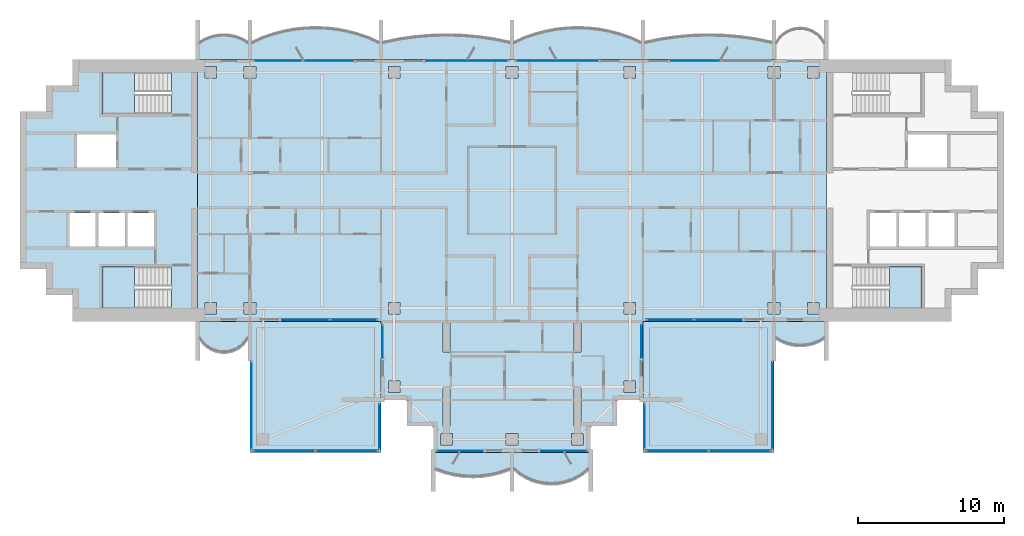
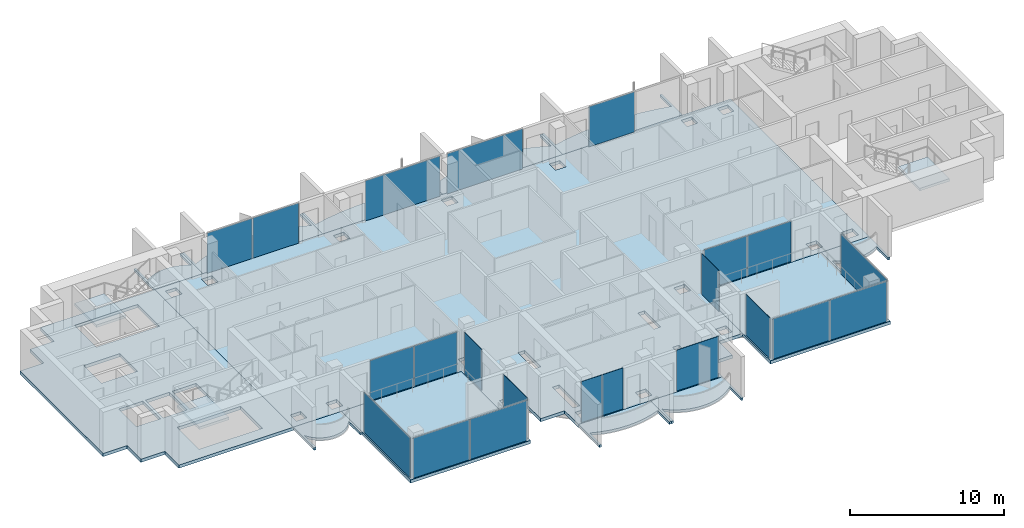
# One storey, part 5 of 16: 21 plates, 16 slabs, 19 elements without a shape of their own.
"""IFC4 building model written with IfcOpenShell, lengths in metres."""

from ifc_helpers import new_model, si_unit, direction, frame, origin, origin_2d, place, context, subcontext, project, spatial, polyline, rectangle, outline, extrude, material, layer, layer_set, type_object, element, aggregate, save


model = new_model("IFC4")

# Units and contexts
model_context = context("Model", 3, precision=1e-05, world=origin(), true_north=direction((0.0, 1.0)))
body_context = subcontext(model_context, "Body", "Model", "MODEL_VIEW")
ifc_project = project(units=[si_unit("LENGTHUNIT", "METRE"), si_unit("AREAUNIT", "SQUARE_METRE"), si_unit("VOLUMEUNIT", "CUBIC_METRE"), si_unit("PLANEANGLEUNIT", "RADIAN"), si_unit("MASSUNIT", "GRAM", prefix="KILO")], contexts=[model_context])

# Site, building, storey
site_placement = place(None, origin())
site = spatial("IfcSite", under=ifc_project, at=site_placement, CompositionType="ELEMENT")
building_placement = place(site_placement, origin())
building = spatial("IfcBuilding", under=site, at=building_placement, Name="Perihelion Cross Residences", CompositionType="ELEMENT")
storey_placement = place(building_placement, frame((0.0, 0.0, 267.5)))
storey = spatial("IfcBuildingStorey", under=building, at=storey_placement, Name="L68", CompositionType="ELEMENT", Elevation=267.5)

# Slabs
ifc_material_1 = material(Name="Concrete C40/50", Category="concrete")
ifc_layer_1 = layer(ifc_material_1, 0.199951171875)
ifc_layer_set_1 = layer_set([ifc_layer_1], Name="Balcony slab 200")
slab_type_1 = type_object("IfcSlabType", Name="Balcony slab 200", PredefinedType="FLOOR", material=ifc_layer_set_1)
slab_1_placement = place(storey_placement, frame((0.0, 0.0, -0.199951171875)))
element("IfcSlab", 1, at=slab_1_placement, inside=storey, type_object=slab_type_1, Name="Slab BK1 L68 east side north bay 2 balcony", PredefinedType="FLOOR", context=body_context, shape_type="SweptSolid", body=[
    extrude(outline(polyline([(18.0, 9.0), (9.0, 9.0), (9.0, 11.699951171875), (9.14990234375, 11.699951171875), (9.14990234375, 10.199951171875), (10.237548828125, 10.42041015625), (11.324951171875, 10.576171875), (12.41259765625, 10.669189453125), (13.5, 10.699951171875), (14.58740234375, 10.669189453125), (15.675048828125, 10.576171875), (16.762451171875, 10.42041015625), (17.85009765625, 10.199951171875), (17.85009765625, 11.699951171875), (18.0, 11.699951171875), (18.0, 9.0)])), origin(), (0.0, 0.0, 1.0), 0.199951171875),
])
slab_2_placement = place(storey_placement, frame((0.0, 0.0, -0.199951171875)))
element("IfcSlab", 2, at=slab_2_placement, inside=storey, type_object=slab_type_1, Name="Slab BK1 L68 north side east bay 1 balcony", PredefinedType="FLOOR", context=body_context, shape_type="SweptSolid", body=[
    extrude(outline(polyline([(9.0, 9.0), (0.0, 9.0), (0.0, 11.699951171875), (0.14990234375, 11.699951171875), (0.14990234375, 10.199951171875), (0.875, 10.51708984375), (1.60009765625, 10.7685546875), (2.324951171875, 10.959716796875), (3.050048828125, 11.093994140625), (3.77490234375, 11.173583984375), (4.5, 11.199951171875), (5.22509765625, 11.173583984375), (5.949951171875, 11.093994140625), (6.675048828125, 10.959716796875), (7.39990234375, 10.7685546875), (8.125, 10.51708984375), (8.85009765625, 10.199951171875), (8.85009765625, 11.699951171875), (9.0, 11.699951171875), (9.0, 9.0)])), origin(), (0.0, 0.0, 1.0), 0.199951171875),
])
slab_3_placement = place(storey_placement, frame((0.0, 0.0, -0.199951171875)))
element("IfcSlab", 3, at=slab_3_placement, inside=storey, type_object=slab_type_1, Name="Slab BK1 L68 north side east bay 2 balcony", PredefinedType="FLOOR", context=body_context, shape_type="SweptSolid", body=[
    extrude(outline(polyline([(0.0, 9.0), (-9.0, 9.0), (-9.0, 11.699951171875), (-8.85009765625, 11.699951171875), (-8.85009765625, 10.199951171875), (-7.762451171875, 10.42041015625), (-6.675048828125, 10.576171875), (-5.58740234375, 10.669189453125), (-4.5, 10.699951171875), (-3.41259765625, 10.669189453125), (-2.324951171875, 10.576171875), (-1.237548828125, 10.42041015625), (-0.14990234375, 10.199951171875), (-0.14990234375, 11.699951171875), (0.0, 11.699951171875), (0.0, 9.0)])), origin(), (0.0, 0.0, 1.0), 0.199951171875),
])
slab_4_placement = place(storey_placement, frame((0.0, 0.0, -0.199951171875)))
element("IfcSlab", 4, at=slab_4_placement, inside=storey, type_object=slab_type_1, Name="Slab BK1 L68 west side north bay 1 balcony", PredefinedType="FLOOR", context=body_context, shape_type="SweptSolid", body=[
    extrude(outline(polyline([(-9.0, 9.0), (-18.0, 9.0), (-18.0, 11.699951171875), (-17.85009765625, 11.699951171875), (-17.85009765625, 10.199951171875), (-17.125, 10.51708984375), (-16.39990234375, 10.7685546875), (-15.675048828125, 10.959716796875), (-14.949951171875, 11.093994140625), (-14.22509765625, 11.173583984375), (-13.5, 11.199951171875), (-12.77490234375, 11.173583984375), (-12.050048828125, 11.093994140625), (-11.324951171875, 10.959716796875), (-10.60009765625, 10.7685546875), (-9.875, 10.51708984375), (-9.14990234375, 10.199951171875), (-9.14990234375, 11.699951171875), (-9.0, 11.699951171875), (-9.0, 9.0)])), origin(), (0.0, 0.0, 1.0), 0.199951171875),
])
slab_5_placement = place(storey_placement, frame((0.0, 0.0, -0.199951171875)))
element("IfcSlab", 5, at=slab_5_placement, inside=storey, type_object=slab_type_1, Name="Slab BK1 L68 west side north bay 2 balcony", PredefinedType="FLOOR", context=body_context, shape_type="SweptSolid", body=[
    extrude(outline(polyline([(-18.0, 9.0), (-21.60009765625, 9.0), (-21.60009765625, 11.699951171875), (-21.449951171875, 11.699951171875), (-21.449951171875, 10.199951171875), (-21.083251953125, 10.40869140625), (-20.716552734375, 10.55517578125), (-20.35009765625, 10.648681640625), (-19.9833984375, 10.6943359375), (-19.61669921875, 10.6943359375), (-19.25, 10.648681640625), (-18.88330078125, 10.55517578125), (-18.5166015625, 10.40869140625), (-18.14990234375, 10.199951171875), (-18.14990234375, 11.699951171875), (-18.0, 11.699951171875), (-18.0, 9.0)])), origin(), (0.0, 0.0, 1.0), 0.199951171875),
])
slab_6_placement = place(storey_placement, frame((0.0, 0.0, -0.199951171875)))
element("IfcSlab", 6, at=slab_6_placement, inside=storey, type_object=slab_type_1, Name="Slab BK1 L68 west side south bay 1 balcony", PredefinedType="FLOOR", context=body_context, shape_type="SweptSolid", body=[
    extrude(outline(polyline([(-21.60009765625, -9.0), (-18.0, -9.0), (-18.0, -11.699951171875), (-18.14990234375, -11.699951171875), (-18.14990234375, -10.199951171875), (-18.425048828125, -10.568603515625), (-18.699951171875, -10.806396484375), (-18.97509765625, -10.96875), (-19.25, -11.07568359375), (-19.52490234375, -11.136962890625), (-19.800048828125, -11.156982421875), (-20.074951171875, -11.136962890625), (-20.35009765625, -11.07568359375), (-20.625, -10.96875), (-20.89990234375, -10.806396484375), (-21.175048828125, -10.568603515625), (-21.449951171875, -10.199951171875), (-21.449951171875, -11.699951171875), (-21.60009765625, -11.699951171875), (-21.60009765625, -9.0)])), origin(), (0.0, 0.0, 1.0), 0.199951171875),
])
slab_7_placement = place(storey_placement, frame((0.0, 0.0, -0.199951171875)))
element("IfcSlab", 7, at=slab_7_placement, inside=storey, type_object=slab_type_1, Name="Slab BK1 L68 south tip south bay 1 balcony", PredefinedType="FLOOR", context=body_context, shape_type="SweptSolid", body=[
    extrude(outline(polyline([(-5.39990234375, -18.0), (0.0, -18.0), (0.0, -20.699951171875), (-0.14990234375, -20.699951171875), (-0.14990234375, -19.199951171875), (-0.78759765625, -19.423583984375), (-1.425048828125, -19.57861328125), (-2.0625, -19.669921875), (-2.699951171875, -19.699951171875), (-3.33740234375, -19.669921875), (-3.97509765625, -19.57861328125), (-4.612548828125, -19.423583984375), (-5.25, -19.199951171875), (-5.25, -20.699951171875), (-5.39990234375, -20.699951171875), (-5.39990234375, -18.0)])), origin(), (0.0, 0.0, 1.0), 0.199951171875),
])
slab_8_placement = place(storey_placement, frame((0.0, 0.0, -0.199951171875)))
element("IfcSlab", 8, at=slab_8_placement, inside=storey, type_object=slab_type_1, Name="Slab BK1 L68 south tip south bay 2 balcony", PredefinedType="FLOOR", context=body_context, shape_type="SweptSolid", body=[
    extrude(outline(polyline([(0.0, -18.0), (5.39990234375, -18.0), (5.39990234375, -20.699951171875), (5.25, -20.699951171875), (5.25, -19.199951171875), (4.824951171875, -19.5400390625), (4.39990234375, -19.792724609375), (3.97509765625, -19.9765625), (3.550048828125, -20.1025390625), (3.125, -20.17578125), (2.699951171875, -20.199951171875), (2.27490234375, -20.17578125), (1.85009765625, -20.1025390625), (1.425048828125, -19.9765625), (1.0, -19.792724609375), (0.574951171875, -19.5400390625), (0.14990234375, -19.199951171875), (0.14990234375, -20.699951171875), (0.0, -20.699951171875), (0.0, -18.0)])), origin(), (0.0, 0.0, 1.0), 0.199951171875),
])
slab_9_placement = place(storey_placement, frame((0.0, 0.0, -0.199951171875)))
element("IfcSlab", 9, at=slab_9_placement, inside=storey, type_object=slab_type_1, Name="Slab BK1 L68 east side south bay 2 balcony", PredefinedType="FLOOR", context=body_context, shape_type="SweptSolid", body=[
    extrude(outline(polyline([(18.0, -9.0), (21.60009765625, -9.0), (21.60009765625, -11.699951171875), (21.449951171875, -11.699951171875), (21.449951171875, -10.199951171875), (21.083251953125, -10.40869140625), (20.716552734375, -10.55517578125), (20.35009765625, -10.648681640625), (19.9833984375, -10.6943359375), (19.61669921875, -10.6943359375), (19.25, -10.648681640625), (18.88330078125, -10.55517578125), (18.5166015625, -10.40869140625), (18.14990234375, -10.199951171875), (18.14990234375, -11.699951171875), (18.0, -11.699951171875), (18.0, -9.0)])), origin(), (0.0, 0.0, 1.0), 0.199951171875),
])

# Curtain wall, plate
ifc_material_2 = material(Name="Bronze anodised aluminium, tinted glazing", Category="aluminium")
curtain_wall_type_1 = type_object("IfcCurtainWallType", Name="CW1", PredefinedType="NOTDEFINED", material=ifc_material_2)
curtain_wall_1_placement = place(storey_placement, origin())
curtain_wall_1 = element("IfcCurtainWall", 10, at=curtain_wall_1_placement, inside=storey, type_object=curtain_wall_type_1, Name="Curtain wall CW1 L68 east side north bay 2", PredefinedType="NOTDEFINED")
ifc_material_3 = material(Name="Tinted laminated glass", Category="glass")
ifc_layer_2 = layer(ifc_material_3, 0.028076171875)
ifc_layer_set_2 = layer_set([ifc_layer_2], Name="CW1 panel")
plate_type_1 = type_object("IfcPlateType", Name="CW1 panel", PredefinedType="CURTAIN_PANEL", material=ifc_layer_set_2)
plate_1_placement = place(storey_placement, frame((12.610107421875, 8.89990234375, 0.0), z_axis=(0.0, 0.0, 1.0), x_axis=(-1.0, 0.0, 0.0)))
plate_1 = element("IfcPlate", 11, at=plate_1_placement, type_object=plate_type_1, Name="CW1 panel 2", PredefinedType="CURTAIN_PANEL", context=body_context, shape_type="SweptSolid", body=[
    extrude(rectangle(XDim=3.419921875, YDim=0.028076171875, at=origin_2d()), origin(), (0.0, 0.0, 1.0), 3.18994140625),
])
aggregate(curtain_wall_1, [plate_1])

curtain_wall_2_placement = place(storey_placement, origin())
curtain_wall_2 = element("IfcCurtainWall", 12, at=curtain_wall_2_placement, inside=storey, type_object=curtain_wall_type_1, Name="Curtain wall CW1 L68 north side east bay 1", PredefinedType="NOTDEFINED")
plate_2_placement = place(storey_placement, frame((3.080078125, 8.89990234375, 0.0), z_axis=(0.0, 0.0, 1.0), x_axis=(-1.0, 0.0, 0.0)))
plate_2 = element("IfcPlate", 13, at=plate_2_placement, type_object=plate_type_1, Name="CW1 panel 1", PredefinedType="CURTAIN_PANEL", context=body_context, shape_type="SweptSolid", body=[
    extrude(rectangle(XDim=5.639892578125, YDim=0.028076171875, at=origin_2d()), origin(), (0.0, 0.0, 1.0), 3.18994140625),
])
aggregate(curtain_wall_2, [plate_2])

curtain_wall_3_placement = place(storey_placement, origin())
curtain_wall_3 = element("IfcCurtainWall", 14, at=curtain_wall_3_placement, inside=storey, type_object=curtain_wall_type_1, Name="Curtain wall CW1 L68 north side east bay 2", PredefinedType="NOTDEFINED")
plate_3_placement = place(storey_placement, frame((-3.080078125, 8.89990234375, 0.0), z_axis=(0.0, 0.0, 1.0), x_axis=(-1.0, 0.0, 0.0)))
plate_3 = element("IfcPlate", 15, at=plate_3_placement, type_object=plate_type_1, Name="CW1 panel 1", PredefinedType="CURTAIN_PANEL", context=body_context, shape_type="SweptSolid", body=[
    extrude(rectangle(XDim=5.639892578125, YDim=0.028076171875, at=origin_2d()), origin(), (0.0, 0.0, 1.0), 3.18994140625),
])
aggregate(curtain_wall_3, [plate_3])

# Curtain wall, plates
curtain_wall_4_placement = place(storey_placement, origin())
curtain_wall_4 = element("IfcCurtainWall", 16, at=curtain_wall_4_placement, inside=storey, type_object=curtain_wall_type_1, Name="Curtain wall CW1 L68 west side north bay 1", PredefinedType="NOTDEFINED")
plate_4_placement = place(storey_placement, frame((-12.610107421875, 8.89990234375, 0.0), z_axis=(0.0, 0.0, 1.0), x_axis=(-1.0, 0.0, 0.0)))
plate_4 = element("IfcPlate", 17, at=plate_4_placement, type_object=plate_type_1, Name="CW1 panel 1", PredefinedType="CURTAIN_PANEL", context=body_context, shape_type="SweptSolid", body=[
    extrude(rectangle(XDim=3.419921875, YDim=0.028076171875, at=origin_2d()), origin(), (0.0, 0.0, 1.0), 3.18994140625),
])
plate_5_placement = place(storey_placement, frame((-16.06005859375, 8.89990234375, 0.0), z_axis=(0.0, 0.0, 1.0), x_axis=(-1.0, 0.0, 0.0)))
plate_5 = element("IfcPlate", 18, at=plate_5_placement, type_object=plate_type_1, Name="CW1 panel 2", PredefinedType="CURTAIN_PANEL", context=body_context, shape_type="SweptSolid", body=[
    extrude(rectangle(XDim=3.360107421875, YDim=0.028076171875, at=origin_2d()), origin(), (0.0, 0.0, 1.0), 3.18994140625),
])
aggregate(curtain_wall_4, [plate_4, plate_5])

curtain_wall_5_placement = place(storey_placement, origin())
curtain_wall_5 = element("IfcCurtainWall", 19, at=curtain_wall_5_placement, inside=storey, type_object=curtain_wall_type_1, Name="Curtain wall CW1 L68 west side south bay 2", PredefinedType="NOTDEFINED")
plate_6_placement = place(storey_placement, frame((-14.1650390625, -8.89990234375, 0.0), z_axis=(0.0, 0.0, 1.0), x_axis=(1.0, 0.0, 0.0)))
plate_6 = element("IfcPlate", 20, at=plate_6_placement, type_object=plate_type_1, Name="CW1 panel 1", PredefinedType="CURTAIN_PANEL", context=body_context, shape_type="SweptSolid", body=[
    extrude(rectangle(XDim=3.27001953125, YDim=0.028076171875, at=origin_2d()), origin(), (0.0, 0.0, 1.0), 3.18994140625),
])
plate_7_placement = place(storey_placement, frame((-10.864990234375, -8.89990234375, 0.0), z_axis=(0.0, 0.0, 1.0), x_axis=(1.0, 0.0, 0.0)))
plate_7 = element("IfcPlate", 21, at=plate_7_placement, type_object=plate_type_1, Name="CW1 panel 2", PredefinedType="CURTAIN_PANEL", context=body_context, shape_type="SweptSolid", body=[
    extrude(rectangle(XDim=3.2099609375, YDim=0.028076171875, at=origin_2d()), origin(), (0.0, 0.0, 1.0), 3.18994140625),
])
aggregate(curtain_wall_5, [plate_6, plate_7])

# Curtain wall, plate
curtain_wall_6_placement = place(storey_placement, origin())
curtain_wall_6 = element("IfcCurtainWall", 22, at=curtain_wall_6_placement, inside=storey, type_object=curtain_wall_type_1, Name="Curtain wall CW1 L68 south side west bay 1", PredefinedType="NOTDEFINED")
plate_8_placement = place(storey_placement, frame((-8.89990234375, -10.3798828125, 0.0), z_axis=(0.0, 0.0, 1.0), x_axis=(0.0, -1.0, 0.0)))
plate_8 = element("IfcPlate", 23, at=plate_8_placement, type_object=plate_type_1, Name="CW1 panel 1", PredefinedType="CURTAIN_PANEL", context=body_context, shape_type="SweptSolid", body=[
    extrude(rectangle(XDim=2.239990234375, YDim=0.028076171875, at=origin_2d()), origin(), (0.0, 0.0, 1.0), 3.25),
])
aggregate(curtain_wall_6, [plate_8])

curtain_wall_7_placement = place(storey_placement, origin())
curtain_wall_7 = element("IfcCurtainWall", 24, at=curtain_wall_7_placement, inside=storey, type_object=curtain_wall_type_1, Name="Curtain wall CW1 L68 south tip south bay 1", PredefinedType="NOTDEFINED")
plate_9_placement = place(storey_placement, frame((-3.570068359375, -17.89990234375, 0.0), z_axis=(0.0, 0.0, 1.0), x_axis=(1.0, 0.0, 0.0)))
plate_9 = element("IfcPlate", 25, at=plate_9_placement, type_object=plate_type_1, Name="CW1 panel 1", PredefinedType="CURTAIN_PANEL", context=body_context, shape_type="SweptSolid", body=[
    extrude(rectangle(XDim=3.139892578125, YDim=0.028076171875, at=origin_2d()), origin(), (0.0, 0.0, 1.0), 3.25),
])
aggregate(curtain_wall_7, [plate_9])

curtain_wall_8_placement = place(storey_placement, origin())
curtain_wall_8 = element("IfcCurtainWall", 26, at=curtain_wall_8_placement, inside=storey, type_object=curtain_wall_type_1, Name="Curtain wall CW1 L68 south tip south bay 2", PredefinedType="NOTDEFINED")
plate_10_placement = place(storey_placement, frame((3.570068359375, -17.89990234375, 0.0), z_axis=(0.0, 0.0, 1.0), x_axis=(1.0, 0.0, 0.0)))
plate_10 = element("IfcPlate", 27, at=plate_10_placement, type_object=plate_type_1, Name="CW1 panel 1", PredefinedType="CURTAIN_PANEL", context=body_context, shape_type="SweptSolid", body=[
    extrude(rectangle(XDim=3.139892578125, YDim=0.028076171875, at=origin_2d()), origin(), (0.0, 0.0, 1.0), 3.25),
])
aggregate(curtain_wall_8, [plate_10])

curtain_wall_9_placement = place(storey_placement, origin())
curtain_wall_9 = element("IfcCurtainWall", 28, at=curtain_wall_9_placement, inside=storey, type_object=curtain_wall_type_1, Name="Curtain wall CW1 L68 south side east bay 1", PredefinedType="NOTDEFINED")
plate_11_placement = place(storey_placement, frame((8.89990234375, -10.3798828125, 0.0), z_axis=(0.0, 0.0, 1.0), x_axis=(0.0, 1.0, 0.0)))
plate_11 = element("IfcPlate", 29, at=plate_11_placement, type_object=plate_type_1, Name="CW1 panel 1", PredefinedType="CURTAIN_PANEL", context=body_context, shape_type="SweptSolid", body=[
    extrude(rectangle(XDim=2.239990234375, YDim=0.028076171875, at=origin_2d()), origin(), (0.0, 0.0, 1.0), 3.25),
])
aggregate(curtain_wall_9, [plate_11])

# Curtain wall, plates
curtain_wall_10_placement = place(storey_placement, origin())
curtain_wall_10 = element("IfcCurtainWall", 30, at=curtain_wall_10_placement, inside=storey, type_object=curtain_wall_type_1, Name="Curtain wall CW1 L68 east side south bay 1", PredefinedType="NOTDEFINED")
plate_12_placement = place(storey_placement, frame((10.864990234375, -8.89990234375, 0.0), z_axis=(0.0, 0.0, 1.0), x_axis=(1.0, 0.0, 0.0)))
plate_12 = element("IfcPlate", 31, at=plate_12_placement, type_object=plate_type_1, Name="CW1 panel 1", PredefinedType="CURTAIN_PANEL", context=body_context, shape_type="SweptSolid", body=[
    extrude(rectangle(XDim=3.2099609375, YDim=0.028076171875, at=origin_2d()), origin(), (0.0, 0.0, 1.0), 3.18994140625),
])
plate_13_placement = place(storey_placement, frame((14.1650390625, -8.89990234375, 0.0), z_axis=(0.0, 0.0, 1.0), x_axis=(1.0, 0.0, 0.0)))
plate_13 = element("IfcPlate", 32, at=plate_13_placement, type_object=plate_type_1, Name="CW1 panel 2", PredefinedType="CURTAIN_PANEL", context=body_context, shape_type="SweptSolid", body=[
    extrude(rectangle(XDim=3.27001953125, YDim=0.028076171875, at=origin_2d()), origin(), (0.0, 0.0, 1.0), 3.18994140625),
])
aggregate(curtain_wall_10, [plate_12, plate_13])

# Curtain wall, plate
ifc_material_4 = material(Name="Bronze anodised aluminium, tinted glazing", Category="aluminium")
curtain_wall_type_2 = type_object("IfcCurtainWallType", Name="CW4", PredefinedType="NOTDEFINED", material=ifc_material_4)
curtain_wall_11_placement = place(storey_placement, origin())
curtain_wall_11 = element("IfcCurtainWall", 33, at=curtain_wall_11_placement, inside=storey, type_object=curtain_wall_type_2, Name="Curtain wall CW4 L68 pocket south-east 1 1", PredefinedType="NOTDEFINED")
ifc_material_5 = material(Name="Tinted laminated glass", Category="glass")
ifc_layer_3 = layer(ifc_material_5, 0.030029296875)
ifc_layer_set_3 = layer_set([ifc_layer_3], Name="CW4 panel")
plate_type_2 = type_object("IfcPlateType", Name="CW4 panel", PredefinedType="CURTAIN_PANEL", material=ifc_layer_set_3)
plate_14_placement = place(storey_placement, frame((17.89990234375, -14.784912109375, 0.0), z_axis=(0.0, 0.0, 1.0), x_axis=(0.0, -1.0, 0.0)))
plate_14 = element("IfcPlate", 34, at=plate_14_placement, type_object=plate_type_2, Name="CW4 panel 1", PredefinedType="CURTAIN_PANEL", context=body_context, shape_type="SweptSolid", body=[
    extrude(rectangle(XDim=5.969970703125, YDim=0.030029296875, at=origin_2d()), origin(), (0.0, 0.0, 1.0), 3.18994140625),
])
aggregate(curtain_wall_11, [plate_14])

# Curtain wall, plates
curtain_wall_12_placement = place(storey_placement, origin())
curtain_wall_12 = element("IfcCurtainWall", 35, at=curtain_wall_12_placement, inside=storey, type_object=curtain_wall_type_2, Name="Curtain wall CW4 L68 pocket south-east 1 2", PredefinedType="NOTDEFINED")
plate_15_placement = place(storey_placement, frame((15.64990234375, -17.89990234375, 0.0), z_axis=(0.0, 0.0, 1.0), x_axis=(-1.0, 0.0, 0.0)))
plate_15 = element("IfcPlate", 36, at=plate_15_placement, type_object=plate_type_2, Name="CW4 panel 1", PredefinedType="CURTAIN_PANEL", context=body_context, shape_type="SweptSolid", body=[
    extrude(rectangle(XDim=4.239990234375, YDim=0.030029296875, at=origin_2d()), origin(), (0.0, 0.0, 1.0), 3.18994140625),
])
plate_16_placement = place(storey_placement, frame((11.35009765625, -17.89990234375, 0.0), z_axis=(0.0, 0.0, 1.0), x_axis=(-1.0, 0.0, 0.0)))
plate_16 = element("IfcPlate", 37, at=plate_16_placement, type_object=plate_type_2, Name="CW4 panel 2", PredefinedType="CURTAIN_PANEL", context=body_context, shape_type="SweptSolid", body=[
    extrude(rectangle(XDim=4.239990234375, YDim=0.030029296875, at=origin_2d()), origin(), (0.0, 0.0, 1.0), 3.18994140625),
])
aggregate(curtain_wall_12, [plate_15, plate_16])

# Curtain wall, plate
curtain_wall_13_placement = place(storey_placement, origin())
curtain_wall_13 = element("IfcCurtainWall", 38, at=curtain_wall_13_placement, inside=storey, type_object=curtain_wall_type_2, Name="Curtain wall CW4 L68 pocket south-east 1 3", PredefinedType="NOTDEFINED")
plate_17_placement = place(storey_placement, frame((9.10009765625, -16.2294921875, 0.0), z_axis=(0.0, 0.0, 1.0), x_axis=(0.0, 1.0, 0.0)))
plate_17 = element("IfcPlate", 39, at=plate_17_placement, type_object=plate_type_2, Name="CW4 panel 1", PredefinedType="CURTAIN_PANEL", context=body_context, shape_type="SweptSolid", body=[
    extrude(rectangle(XDim=3.0810546875, YDim=0.030029296875, at=origin_2d()), origin(), (0.0, 0.0, 1.0), 3.25),
])
aggregate(curtain_wall_13, [plate_17])

curtain_wall_14_placement = place(storey_placement, origin())
curtain_wall_14 = element("IfcCurtainWall", 40, at=curtain_wall_14_placement, inside=storey, type_object=curtain_wall_type_2, Name="Curtain wall CW4 L68 pocket south-west 1 1", PredefinedType="NOTDEFINED")
plate_18_placement = place(storey_placement, frame((-9.10009765625, -16.2294921875, 0.0), z_axis=(0.0, 0.0, 1.0), x_axis=(0.0, -1.0, 0.0)))
plate_18 = element("IfcPlate", 41, at=plate_18_placement, type_object=plate_type_2, Name="CW4 panel 1", PredefinedType="CURTAIN_PANEL", context=body_context, shape_type="SweptSolid", body=[
    extrude(rectangle(XDim=3.0810546875, YDim=0.030029296875, at=origin_2d()), origin(), (0.0, 0.0, 1.0), 3.25),
])
aggregate(curtain_wall_14, [plate_18])

# Curtain wall, plates
curtain_wall_15_placement = place(storey_placement, origin())
curtain_wall_15 = element("IfcCurtainWall", 42, at=curtain_wall_15_placement, inside=storey, type_object=curtain_wall_type_2, Name="Curtain wall CW4 L68 pocket south-west 1 2", PredefinedType="NOTDEFINED")
plate_19_placement = place(storey_placement, frame((-11.35009765625, -17.89990234375, 0.0), z_axis=(0.0, 0.0, 1.0), x_axis=(-1.0, 0.0, 0.0)))
plate_19 = element("IfcPlate", 43, at=plate_19_placement, type_object=plate_type_2, Name="CW4 panel 1", PredefinedType="CURTAIN_PANEL", context=body_context, shape_type="SweptSolid", body=[
    extrude(rectangle(XDim=4.239990234375, YDim=0.030029296875, at=origin_2d()), origin(), (0.0, 0.0, 1.0), 3.18994140625),
])
plate_20_placement = place(storey_placement, frame((-15.64990234375, -17.89990234375, 0.0), z_axis=(0.0, 0.0, 1.0), x_axis=(-1.0, 0.0, 0.0)))
plate_20 = element("IfcPlate", 44, at=plate_20_placement, type_object=plate_type_2, Name="CW4 panel 2", PredefinedType="CURTAIN_PANEL", context=body_context, shape_type="SweptSolid", body=[
    extrude(rectangle(XDim=4.239990234375, YDim=0.030029296875, at=origin_2d()), origin(), (0.0, 0.0, 1.0), 3.18994140625),
])
aggregate(curtain_wall_15, [plate_19, plate_20])

# Curtain wall, plate
curtain_wall_16_placement = place(storey_placement, origin())
curtain_wall_16 = element("IfcCurtainWall", 45, at=curtain_wall_16_placement, inside=storey, type_object=curtain_wall_type_2, Name="Curtain wall CW4 L68 pocket south-west 1 3", PredefinedType="NOTDEFINED")
plate_21_placement = place(storey_placement, frame((-17.89990234375, -14.784912109375, 0.0), z_axis=(0.0, 0.0, 1.0), x_axis=(0.0, 1.0, 0.0)))
plate_21 = element("IfcPlate", 46, at=plate_21_placement, type_object=plate_type_2, Name="CW4 panel 1", PredefinedType="CURTAIN_PANEL", context=body_context, shape_type="SweptSolid", body=[
    extrude(rectangle(XDim=5.969970703125, YDim=0.030029296875, at=origin_2d()), origin(), (0.0, 0.0, 1.0), 3.18994140625),
])
aggregate(curtain_wall_16, [plate_21])

# Slab
ifc_material_6 = material(Name="Concrete C40/50", Category="concrete")
ifc_layer_4 = layer(ifc_material_6, 0.25)
ifc_layer_set_4 = layer_set([ifc_layer_4], Name="Core floor slab 250")
slab_type_2 = type_object("IfcSlabType", Name="Core floor slab 250", PredefinedType="FLOOR", material=ifc_layer_set_4)
slab_10_placement = place(storey_placement, frame((0.0, 0.0, -0.25)))
element("IfcSlab", 47, at=slab_10_placement, inside=storey, type_object=slab_type_2, Name="West core floor slab", PredefinedType="FLOOR", context=body_context, shape_type="SweptSolid", body=[
    extrude(outline(polyline([(-30.199951171875, 7.199951171875), (-32.0, 7.199951171875), (-32.0, 5.39990234375), (-33.800048828125, 5.39990234375), (-33.800048828125, -5.39990234375), (-32.0, -5.39990234375), (-32.0, -7.199951171875), (-30.199951171875, -7.199951171875), (-30.199951171875, -9.0), (-21.60009765625, -9.0), (-21.60009765625, 9.0), (-30.199951171875, 9.0), (-30.199951171875, 7.199951171875)]), holes=[polyline([(-28.14990234375, -8.10009765625), (-28.14990234375, -5.25), (-23.405029296875, -5.25), (-23.405029296875, -8.10009765625), (-28.14990234375, -8.10009765625)]), polyline([(-24.60009765625, -1.550048828125), (-24.60009765625, -3.85009765625), (-26.39990234375, -3.85009765625), (-26.39990234375, -1.550048828125), (-24.60009765625, -1.550048828125)]), polyline([(-26.60009765625, -1.550048828125), (-26.60009765625, -3.85009765625), (-28.39990234375, -3.85009765625), (-28.39990234375, -1.550048828125), (-26.60009765625, -1.550048828125)]), polyline([(-28.60009765625, -3.85009765625), (-30.39990234375, -3.85009765625), (-30.39990234375, -1.550048828125), (-28.60009765625, -1.550048828125), (-28.60009765625, -3.85009765625)]), polyline([(-27.199951171875, 3.85009765625), (-27.199951171875, 1.550048828125), (-29.89990234375, 1.550048828125), (-29.89990234375, 3.85009765625), (-27.199951171875, 3.85009765625)]), polyline([(-23.405029296875, 5.25), (-28.14990234375, 5.25), (-28.14990234375, 8.10009765625), (-23.405029296875, 8.10009765625), (-23.405029296875, 5.25)])]), origin(), (0.0, 0.0, 1.0), 0.25),
])

# Stair, slab
ifc_material_7 = material(Name="Concrete C40/50", Category="concrete")
stair_type = type_object("IfcStairType", Name="Exit stair, half-turn", PredefinedType="HALF_TURN_STAIR", material=ifc_material_7)
stair_1_placement = place(storey_placement, origin())
stair_1 = element("IfcStair", 48, at=stair_1_placement, inside=storey, type_object=stair_type, Name="L68 East core exit stair 2", PredefinedType="HALF_TURN_STAIR")
ifc_material_8 = material(Name="Concrete C40/50", Category="concrete")
ifc_layer_5 = layer(ifc_material_8, 0.199951171875)
ifc_layer_set_5 = layer_set([ifc_layer_5], Name="Exit stair landing 200")
slab_type_3 = type_object("IfcSlabType", Name="Exit stair landing 200", PredefinedType="LANDING", material=ifc_layer_set_5)
slab_11_placement = place(storey_placement, frame((0.0, 0.0, 1.550048828125)))
slab_11 = element("IfcSlab", 49, at=slab_11_placement, type_object=slab_type_3, Name="ST-E2 landing 1", PredefinedType="LANDING", context=body_context, shape_type="SweptSolid", body=[
    extrude(outline(polyline([(25.919921875, -8.10009765625), (28.14990234375, -8.10009765625), (28.14990234375, -5.25), (25.919921875, -5.25), (25.919921875, -8.10009765625)])), origin(), (0.0, 0.0, 1.0), 0.199951171875),
])
aggregate(stair_1, [slab_11])

stair_2_placement = place(storey_placement, origin())
stair_2 = element("IfcStair", 50, at=stair_2_placement, inside=storey, type_object=stair_type, Name="L68 West core exit stair 1", PredefinedType="HALF_TURN_STAIR")
slab_12_placement = place(storey_placement, frame((0.0, 0.0, 1.550048828125)))
slab_12 = element("IfcSlab", 51, at=slab_12_placement, type_object=slab_type_3, Name="ST-W1 landing 1", PredefinedType="LANDING", context=body_context, shape_type="SweptSolid", body=[
    extrude(outline(polyline([(-25.919921875, 8.10009765625), (-28.14990234375, 8.10009765625), (-28.14990234375, 5.25), (-25.919921875, 5.25), (-25.919921875, 8.10009765625)])), origin(), (0.0, 0.0, 1.0), 0.199951171875),
])
aggregate(stair_2, [slab_12])

stair_3_placement = place(storey_placement, origin())
stair_3 = element("IfcStair", 52, at=stair_3_placement, inside=storey, type_object=stair_type, Name="L68 West core exit stair 2", PredefinedType="HALF_TURN_STAIR")
slab_13_placement = place(storey_placement, frame((0.0, 0.0, 1.550048828125)))
slab_13 = element("IfcSlab", 53, at=slab_13_placement, type_object=slab_type_3, Name="ST-W2 landing 1", PredefinedType="LANDING", context=body_context, shape_type="SweptSolid", body=[
    extrude(outline(polyline([(-25.919921875, -5.25), (-28.14990234375, -5.25), (-28.14990234375, -8.10009765625), (-25.919921875, -8.10009765625), (-25.919921875, -5.25)])), origin(), (0.0, 0.0, 1.0), 0.199951171875),
])
aggregate(stair_3, [slab_13])

# Slabs
ifc_material_9 = material(Name="Concrete C50/60", Category="concrete")
ifc_layer_6 = layer(ifc_material_9, 0.25)
ifc_layer_set_6 = layer_set([ifc_layer_6], Name="Residential floor post-tensioned slab concrete C50/60")
slab_type_4 = type_object("IfcSlabType", Name="Residential floor post-tensioned slab concrete C50/60", PredefinedType="FLOOR", material=ifc_layer_set_6)
slab_14_placement = place(storey_placement, frame((0.0, 0.0, -0.25)))
element("IfcSlab", 54, at=slab_14_placement, inside=storey, type_object=slab_type_4, Name="Slab SL8 L68 1 no. 1", PredefinedType="FLOOR", context=body_context, shape_type="SweptSolid", body=[
    extrude(outline(polyline([(-9.0, 9.0), (9.0, 9.0), (21.60009765625, 9.0), (21.60009765625, -9.0), (9.0, -9.0), (9.0, -14.39990234375), (7.199951171875, -14.39990234375), (7.199951171875, -16.199951171875), (5.39990234375, -16.199951171875), (5.39990234375, -18.0), (-5.39990234375, -18.0), (-5.39990234375, -16.199951171875), (-7.199951171875, -16.199951171875), (-7.199951171875, -14.39990234375), (-9.0, -14.39990234375), (-9.0, -9.0), (-21.60009765625, -9.0), (-21.60009765625, 9.0), (-9.0, 9.0)]), holes=[polyline([(-4.10009765625, -16.699951171875), (-4.89990234375, -16.699951171875), (-4.89990234375, -17.5), (-4.10009765625, -17.5), (-4.10009765625, -16.699951171875)]), polyline([(0.39990234375, -17.5), (0.39990234375, -16.699951171875), (-0.39990234375, -16.699951171875), (-0.39990234375, -17.5), (0.39990234375, -17.5)]), polyline([(-4.25, -16.199951171875), (-4.25, -13.5), (-4.75, -13.5), (-4.75, -16.199951171875), (-4.25, -16.199951171875)]), polyline([(-7.699951171875, -13.10009765625), (-8.5, -13.10009765625), (-8.5, -13.89990234375), (-7.699951171875, -13.89990234375), (-7.699951171875, -13.10009765625)]), polyline([(-4.25, -11.10009765625), (-4.25, -9.0), (-4.75, -9.0), (-4.75, -11.10009765625), (-4.25, -11.10009765625)]), polyline([(-20.300048828125, -8.5), (-20.300048828125, -7.699951171875), (-21.10009765625, -7.699951171875), (-21.10009765625, -8.5), (-20.300048828125, -8.5)]), polyline([(-17.60009765625, -7.699951171875), (-18.39990234375, -7.699951171875), (-18.39990234375, -8.5), (-17.60009765625, -8.5), (-17.60009765625, -7.699951171875)]), polyline([(-7.699951171875, -8.5), (-7.699951171875, -7.699951171875), (-8.5, -7.699951171875), (-8.5, -8.5), (-7.699951171875, -8.5)]), polyline([(-20.300048828125, 8.5), (-21.10009765625, 8.5), (-21.10009765625, 7.699951171875), (-20.300048828125, 7.699951171875), (-20.300048828125, 8.5)]), polyline([(-17.60009765625, 7.699951171875), (-17.60009765625, 8.5), (-18.39990234375, 8.5), (-18.39990234375, 7.699951171875), (-17.60009765625, 7.699951171875)]), polyline([(-7.699951171875, 7.699951171875), (-7.699951171875, 8.5), (-8.5, 8.5), (-8.5, 7.699951171875), (-7.699951171875, 7.699951171875)]), polyline([(4.89990234375, -16.699951171875), (4.10009765625, -16.699951171875), (4.10009765625, -17.5), (4.89990234375, -17.5), (4.89990234375, -16.699951171875)]), polyline([(4.75, -16.199951171875), (4.75, -13.5), (4.25, -13.5), (4.25, -16.199951171875), (4.75, -16.199951171875)]), polyline([(8.5, -13.89990234375), (8.5, -13.10009765625), (7.699951171875, -13.10009765625), (7.699951171875, -13.89990234375), (8.5, -13.89990234375)]), polyline([(4.75, -9.0), (4.25, -9.0), (4.25, -11.10009765625), (4.75, -11.10009765625), (4.75, -9.0)]), polyline([(8.5, -8.5), (8.5, -7.699951171875), (7.699951171875, -7.699951171875), (7.699951171875, -8.5), (8.5, -8.5)]), polyline([(18.39990234375, -8.5), (18.39990234375, -7.699951171875), (17.60009765625, -7.699951171875), (17.60009765625, -8.5), (18.39990234375, -8.5)]), polyline([(21.10009765625, -7.699951171875), (20.300048828125, -7.699951171875), (20.300048828125, -8.5), (21.10009765625, -8.5), (21.10009765625, -7.699951171875)]), polyline([(0.39990234375, 7.699951171875), (0.39990234375, 8.5), (-0.39990234375, 8.5), (-0.39990234375, 7.699951171875), (0.39990234375, 7.699951171875)]), polyline([(8.5, 8.5), (7.699951171875, 8.5), (7.699951171875, 7.699951171875), (8.5, 7.699951171875), (8.5, 8.5)]), polyline([(18.39990234375, 7.699951171875), (18.39990234375, 8.5), (17.60009765625, 8.5), (17.60009765625, 7.699951171875), (18.39990234375, 7.699951171875)]), polyline([(21.10009765625, 7.699951171875), (21.10009765625, 8.5), (20.300048828125, 8.5), (20.300048828125, 7.699951171875), (21.10009765625, 7.699951171875)])]), origin(), (0.0, 0.0, 1.0), 0.25),
])
ifc_material_10 = material(Name="Concrete C40/50", Category="concrete")
ifc_layer_7 = layer(ifc_material_10, 0.25)
ifc_layer_set_7 = layer_set([ifc_layer_7], Name="Winter garden slab")
slab_type_5 = type_object("IfcSlabType", Name="Winter garden slab", PredefinedType="FLOOR", material=ifc_layer_set_7)
slab_15_placement = place(storey_placement, frame((0.0, 0.0, -0.25)))
element("IfcSlab", 55, at=slab_15_placement, inside=storey, type_object=slab_type_5, Name="Slab BK3 L68 pocket south-west", PredefinedType="FLOOR", context=body_context, shape_type="SweptSolid", body=[
    extrude(outline(polyline([(-9.0, -18.0), (-9.0, -9.0), (-18.0, -9.0), (-18.0, -18.0), (-9.0, -18.0)])), origin(), (0.0, 0.0, 1.0), 0.25),
])
slab_16_placement = place(storey_placement, frame((0.0, 0.0, -0.25)))
element("IfcSlab", 56, at=slab_16_placement, inside=storey, type_object=slab_type_5, Name="Slab BK3 L68 pocket south-east", PredefinedType="FLOOR", context=body_context, shape_type="SweptSolid", body=[
    extrude(outline(polyline([(18.0, -18.0), (18.0, -9.0), (9.0, -9.0), (9.0, -18.0), (18.0, -18.0)])), origin(), (0.0, 0.0, 1.0), 0.25),
])

save(model, "model.ifc")
